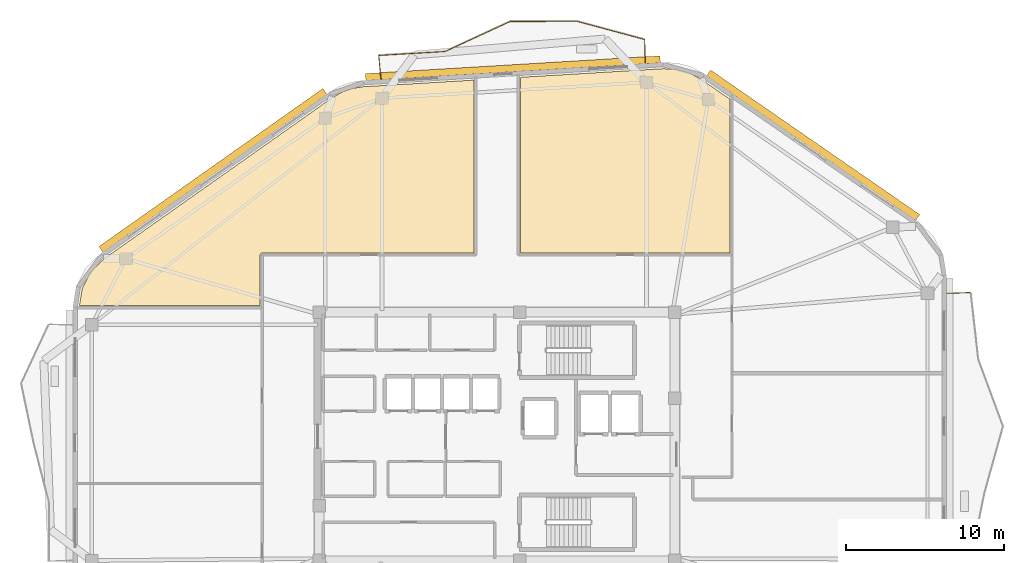
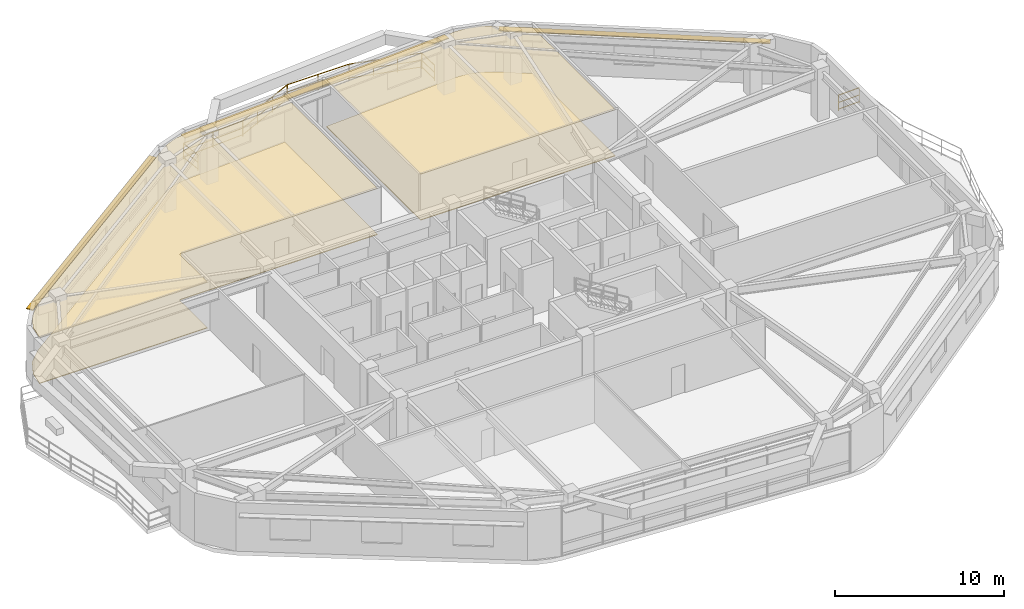
# One storey, part 12 of 12: 7 railings, 4 coverings, 3 shading devices.
"""IFC4 building model written with IfcOpenShell, lengths in metres."""

from ifc_helpers import new_model, si_unit, direction, frame, origin, origin_2d, place, context, subcontext, project, spatial, polyline, rectangle, outline, extrude, material, layer, layer_set, type_object, element, save


model = new_model("IFC4")

# Units and contexts
model_context = context("Model", 3, precision=1e-05, world=origin(), true_north=direction((0.0, 1.0)))
body_context = subcontext(model_context, "Body", "Model", "MODEL_VIEW")
ifc_project = project(units=[si_unit("LENGTHUNIT", "METRE"), si_unit("AREAUNIT", "SQUARE_METRE"), si_unit("VOLUMEUNIT", "CUBIC_METRE"), si_unit("PLANEANGLEUNIT", "RADIAN"), si_unit("MASSUNIT", "GRAM", prefix="KILO")], contexts=[model_context])

# Site, building, storey
site_placement = place(None, origin())
site = spatial("IfcSite", under=ifc_project, at=site_placement, CompositionType="ELEMENT")
building_placement = place(site_placement, origin())
building = spatial("IfcBuilding", under=site, at=building_placement, Name="Zulverin Broadcast Headquarters", CompositionType="ELEMENT")
storey_placement = place(building_placement, frame((0.0, 0.0, 232.60009765625)))
storey = spatial("IfcBuildingStorey", under=building, at=storey_placement, Name="L59", CompositionType="ELEMENT", Elevation=232.60009765625)

# Coverings
ifc_material_1 = material(Name="Perforated pale-metal acoustic baffle ceiling", Category="aluminium")
ifc_layer_1 = layer(ifc_material_1, 0.0400390625, Name="Perforated pale-metal acoustic baffle ceiling", Category="aluminium")
ifc_layer_set_1 = layer_set([ifc_layer_1], Name="Perforated pale-metal acoustic baffle ceiling")
covering_type_1 = type_object("IfcCoveringType", Name="COV-CEIL-ACOU", PredefinedType="CEILING", material=ifc_layer_set_1)
covering_1_placement = place(storey_placement, frame((0.0, 0.0, 3.329833984375)))
element("IfcCovering", 1, at=covering_1_placement, inside=storey, type_object=covering_type_1, Name="L59 Acoustic Baffle Ceiling 01", PredefinedType="CEILING", context=body_context, shape_type="SweptSolid", body=[
    extrude(outline(polyline([(12.092041015625, 36.468017578125), (11.22802734375, 35.6240234375), (10.69189453125, 34.580078125), (10.51611328125, 33.5), (21.97998046875, 33.5), (21.97998046875, 36.699951171875), (21.97998046875, 36.7119140625), (21.98388671875, 36.72412109375), (21.98388671875, 36.736083984375), (21.988037109375, 36.743896484375), (21.99609375, 36.756103515625), (22.0, 36.76806640625), (22.008056640625, 36.77587890625), (22.01611328125, 36.783935546875), (22.02392578125, 36.7919921875), (22.031982421875, 36.800048828125), (22.0439453125, 36.803955078125), (22.055908203125, 36.81201171875), (22.06396484375, 36.81591796875), (22.075927734375, 36.81591796875), (22.087890625, 36.820068359375), (22.10009765625, 36.820068359375), (35.531982421875, 36.820068359375), (35.531982421875, 47.7919921875), (28.52392578125, 47.3720703125), (27.827880859375, 47.26806640625), (27.18798828125, 47.0400390625), (26.575927734375, 46.69189453125), (12.092041015625, 36.468017578125)])), origin(), (0.0, 0.0, 1.0), 0.0400390625),
])
covering_2_placement = place(storey_placement, frame((0.0, 0.0, 3.329833984375)))
element("IfcCovering", 2, at=covering_2_placement, inside=storey, type_object=covering_type_1, Name="L59 Acoustic Baffle Ceiling 02", PredefinedType="CEILING", context=body_context, shape_type="SweptSolid", body=[
    extrude(outline(polyline([(49.18798828125, 48.251953125), (48.39599609375, 48.471923828125), (47.56005859375, 48.51611328125), (38.471923828125, 47.968017578125), (38.471923828125, 36.820068359375), (51.780029296875, 36.820068359375), (51.780029296875, 46.572021484375), (49.924072265625, 47.85205078125), (49.18798828125, 48.251953125)])), origin(), (0.0, 0.0, 1.0), 0.0400390625),
])
ifc_material_2 = material(Name="Anti-static broadcast raised access flooring", Category="stone")
ifc_layer_2 = layer(ifc_material_2, 0.050048828125, Name="Anti-static broadcast raised access flooring", Category="stone")
ifc_layer_set_2 = layer_set([ifc_layer_2], Name="Anti-static broadcast raised access flooring")
covering_type_2 = type_object("IfcCoveringType", Name="COV-FLR-RAISED", PredefinedType="FLOORING", material=ifc_layer_set_2)
covering_3_placement = place(storey_placement, origin())
element("IfcCovering", 3, at=covering_3_placement, inside=storey, type_object=covering_type_2, Name="L59 Broadcast Raised Access Flooring 01", PredefinedType="FLOORING", context=body_context, shape_type="SweptSolid", body=[
    extrude(outline(polyline([(12.092041015625, 36.468017578125), (11.22802734375, 35.6240234375), (10.69189453125, 34.580078125), (10.51611328125, 33.5), (21.97998046875, 33.5), (21.97998046875, 36.699951171875), (21.97998046875, 36.7119140625), (21.98388671875, 36.72412109375), (21.98388671875, 36.736083984375), (21.988037109375, 36.743896484375), (21.99609375, 36.756103515625), (22.0, 36.76806640625), (22.008056640625, 36.77587890625), (22.01611328125, 36.783935546875), (22.02392578125, 36.7919921875), (22.031982421875, 36.800048828125), (22.0439453125, 36.803955078125), (22.055908203125, 36.81201171875), (22.06396484375, 36.81591796875), (22.075927734375, 36.81591796875), (22.087890625, 36.820068359375), (22.10009765625, 36.820068359375), (35.531982421875, 36.820068359375), (35.531982421875, 47.7919921875), (28.52392578125, 47.3720703125), (27.827880859375, 47.26806640625), (27.18798828125, 47.0400390625), (26.575927734375, 46.69189453125), (12.092041015625, 36.468017578125)])), origin(), (0.0, 0.0, 1.0), 0.0498046875),
])
covering_4_placement = place(storey_placement, origin())
element("IfcCovering", 4, at=covering_4_placement, inside=storey, type_object=covering_type_2, Name="L59 Broadcast Raised Access Flooring 02", PredefinedType="FLOORING", context=body_context, shape_type="SweptSolid", body=[
    extrude(outline(polyline([(49.18798828125, 48.251953125), (48.39599609375, 48.471923828125), (47.56005859375, 48.51611328125), (38.471923828125, 47.968017578125), (38.471923828125, 36.820068359375), (51.780029296875, 36.820068359375), (51.780029296875, 46.572021484375), (49.924072265625, 47.85205078125), (49.18798828125, 48.251953125)])), origin(), (0.0, 0.0, 1.0), 0.0498046875),
])

# Railings
ifc_material_3 = material(Name="Brushed stainless steel & laminated glass balustrade", Category="steel")
railing_type = type_object("IfcRailingType", Name="RL-GUARD-1150", PredefinedType="GUARDRAIL", material=ifc_material_3)
railing_1_placement = place(storey_placement, frame((67.0048828125, 34.3251953125, 0.0)))
element("IfcRailing", 5, at=railing_1_placement, inside=storey, type_object=railing_type, Name="L59 Vertical-Forest Balcony Guardrail BAL_E Segment 06", PredefinedType="GUARDRAIL", context=body_context, shape_type="SweptSolid", body=[
    extrude(rectangle(XDim=0.048095703125, YDim=0.048095703125, at=origin_2d()), frame((0.0, 0.0, 1.1259765625), z_axis=(-0.999174135318, -0.040633081503, 0.0), x_axis=(0.040633081503, -0.999174135318, 0.0)), (0.0, 0.0, 1.0), 1.466064453125),
    extrude(rectangle(XDim=0.0419921875, YDim=0.0419921875, at=origin_2d()), frame((0.0, 0.0, 0.597900390625), z_axis=(-0.999174135318, -0.040633081503, 0.0), x_axis=(0.040633081503, -0.999174135318, 0.0)), (0.0, 0.0, 1.0), 1.466064453125),
    extrude(rectangle(XDim=0.0419921875, YDim=0.0419921875, at=origin_2d()), frame((0.0, 0.0, 0.1201171875), z_axis=(-0.999174135318, -0.040633081503, 0.0), x_axis=(0.040633081503, -0.999174135318, 0.0)), (0.0, 0.0, 1.0), 1.466064453125),
    extrude(rectangle(XDim=0.0419921875, YDim=0.0419921875, at=origin_2d()), origin(), (0.0, 0.0, 1.0), 1.101806640625),
    extrude(rectangle(XDim=0.0419921875, YDim=0.0419921875, at=origin_2d()), frame((-1.46484375, -0.0595703125, 0.0)), (0.0, 0.0, 1.0), 1.101806640625),
])
railing_2_placement = place(storey_placement, frame((46.397216796875, 48.885498046875, 0.0)))
element("IfcRailing", 6, at=railing_2_placement, inside=storey, type_object=railing_type, Name="L59 Vertical-Forest Balcony Guardrail BAL_N Segment 01", PredefinedType="GUARDRAIL", context=body_context, shape_type="SweptSolid", body=[
    extrude(rectangle(XDim=0.048095703125, YDim=0.048095703125, at=origin_2d()), frame((0.0, 0.0, 1.1259765625), z_axis=(-0.019480066399, 0.999810245503, 0.0), x_axis=(-0.999810245503, -0.019480066399, 0.0)), (0.0, 0.0, 1.0), 1.46630859375),
    extrude(rectangle(XDim=0.0419921875, YDim=0.0419921875, at=origin_2d()), frame((0.0, 0.0, 0.597900390625), z_axis=(-0.019480066399, 0.999810245503, 0.0), x_axis=(-0.999810245503, -0.019480066399, 0.0)), (0.0, 0.0, 1.0), 1.46630859375),
    extrude(rectangle(XDim=0.0419921875, YDim=0.0419921875, at=origin_2d()), frame((0.0, 0.0, 0.1201171875), z_axis=(-0.019480066399, 0.999810245503, 0.0), x_axis=(-0.999810245503, -0.019480066399, 0.0)), (0.0, 0.0, 1.0), 1.46630859375),
    extrude(rectangle(XDim=0.0419921875, YDim=0.0419921875, at=origin_2d()), origin(), (0.0, 0.0, 1.0), 1.101806640625),
    extrude(rectangle(XDim=0.0419921875, YDim=0.0419921875, at=origin_2d()), frame((-0.028564453125, 1.466064453125, 0.0)), (0.0, 0.0, 1.0), 1.101806640625),
])
railing_3_placement = place(storey_placement, frame((46.353759765625, 50.370361328125, 0.0)))
element("IfcRailing", 7, at=railing_3_placement, inside=storey, type_object=railing_type, Name="L59 Vertical-Forest Balcony Guardrail BAL_N Segment 02", PredefinedType="GUARDRAIL", context=body_context, shape_type="SweptSolid", body=[
    extrude(rectangle(XDim=0.048095703125, YDim=0.048095703125, at=origin_2d()), frame((0.0, 0.0, 1.1259765625), z_axis=(-0.965758297957, 0.25944346191, 0.0), x_axis=(-0.25944346191, -0.965758297957, 0.0)), (0.0, 0.0, 1.0), 4.427490234375),
    extrude(rectangle(XDim=0.0419921875, YDim=0.0419921875, at=origin_2d()), frame((0.0, 0.0, 0.597900390625), z_axis=(-0.965758297957, 0.25944346191, 0.0), x_axis=(-0.25944346191, -0.965758297957, 0.0)), (0.0, 0.0, 1.0), 4.427490234375),
    extrude(rectangle(XDim=0.0419921875, YDim=0.0419921875, at=origin_2d()), frame((0.0, 0.0, 0.1201171875), z_axis=(-0.965758297957, 0.25944346191, 0.0), x_axis=(-0.25944346191, -0.965758297957, 0.0)), (0.0, 0.0, 1.0), 4.427490234375),
    extrude(rectangle(XDim=0.0419921875, YDim=0.0419921875, at=origin_2d()), origin(), (0.0, 0.0, 1.0), 1.101806640625),
    extrude(rectangle(XDim=0.0419921875, YDim=0.0419921875, at=origin_2d()), frame((-1.42529296875, 0.3828125, 0.0)), (0.0, 0.0, 1.0), 1.101806640625),
    extrude(rectangle(XDim=0.0419921875, YDim=0.0419921875, at=origin_2d()), frame((-2.8505859375, 0.765869140625, 0.0)), (0.0, 0.0, 1.0), 1.101806640625),
    extrude(rectangle(XDim=0.0419921875, YDim=0.0419921875, at=origin_2d()), frame((-4.27587890625, 1.148681640625, 0.0)), (0.0, 0.0, 1.0), 1.101806640625),
])
railing_4_placement = place(storey_placement, frame((42.048583984375, 51.52294921875, 0.0)))
element("IfcRailing", 8, at=railing_4_placement, inside=storey, type_object=railing_type, Name="L59 Vertical-Forest Balcony Guardrail BAL_N Segment 03", PredefinedType="GUARDRAIL", context=body_context, shape_type="SweptSolid", body=[
    extrude(rectangle(XDim=0.048095703125, YDim=0.048095703125, at=origin_2d()), frame((0.0, 0.0, 1.1259765625), z_axis=(-0.999993308399, -0.003658299659, 0.0), x_axis=(0.003658299659, -0.999993308399, 0.0)), (0.0, 0.0, 1.0), 4.204345703125),
    extrude(rectangle(XDim=0.0419921875, YDim=0.0419921875, at=origin_2d()), frame((0.0, 0.0, 0.597900390625), z_axis=(-0.999993308399, -0.003658299659, 0.0), x_axis=(0.003658299659, -0.999993308399, 0.0)), (0.0, 0.0, 1.0), 4.204345703125),
    extrude(rectangle(XDim=0.0419921875, YDim=0.0419921875, at=origin_2d()), frame((0.0, 0.0, 0.1201171875), z_axis=(-0.999993308399, -0.003658299659, 0.0), x_axis=(0.003658299659, -0.999993308399, 0.0)), (0.0, 0.0, 1.0), 4.204345703125),
    extrude(rectangle(XDim=0.0419921875, YDim=0.0419921875, at=origin_2d()), origin(), (0.0, 0.0, 1.0), 1.101806640625),
    extrude(rectangle(XDim=0.0419921875, YDim=0.0419921875, at=origin_2d()), frame((-2.10205078125, -0.0078125, 0.0)), (0.0, 0.0, 1.0), 1.101806640625),
    extrude(rectangle(XDim=0.0419921875, YDim=0.0419921875, at=origin_2d()), frame((-4.204345703125, -0.015380859375, 0.0)), (0.0, 0.0, 1.0), 1.101806640625),
])
railing_5_placement = place(storey_placement, frame((37.815673828125, 51.501220703125, 0.0)))
element("IfcRailing", 9, at=railing_5_placement, inside=storey, type_object=railing_type, Name="L59 Vertical-Forest Balcony Guardrail BAL_N Segment 04", PredefinedType="GUARDRAIL", context=body_context, shape_type="SweptSolid", body=[
    extrude(rectangle(XDim=0.048095703125, YDim=0.048095703125, at=origin_2d()), frame((0.0, 0.0, 1.1259765625), z_axis=(-0.908052870887, -0.418855564214, 0.0), x_axis=(0.418855564214, -0.908052870887, 0.0)), (0.0, 0.0, 1.0), 4.508544921875),
    extrude(rectangle(XDim=0.0419921875, YDim=0.0419921875, at=origin_2d()), frame((0.0, 0.0, 0.597900390625), z_axis=(-0.908052870887, -0.418855564214, 0.0), x_axis=(0.418855564214, -0.908052870887, 0.0)), (0.0, 0.0, 1.0), 4.508544921875),
    extrude(rectangle(XDim=0.0419921875, YDim=0.0419921875, at=origin_2d()), frame((0.0, 0.0, 0.1201171875), z_axis=(-0.908052870887, -0.418855564214, 0.0), x_axis=(0.418855564214, -0.908052870887, 0.0)), (0.0, 0.0, 1.0), 4.508544921875),
    extrude(rectangle(XDim=0.0419921875, YDim=0.0419921875, at=origin_2d()), origin(), (0.0, 0.0, 1.0), 1.101806640625),
    extrude(rectangle(XDim=0.0419921875, YDim=0.0419921875, at=origin_2d()), frame((-1.36474609375, -0.62939453125, 0.0)), (0.0, 0.0, 1.0), 1.101806640625),
    extrude(rectangle(XDim=0.0419921875, YDim=0.0419921875, at=origin_2d()), frame((-2.729248046875, -1.259033203125, 0.0)), (0.0, 0.0, 1.0), 1.101806640625),
    extrude(rectangle(XDim=0.0419921875, YDim=0.0419921875, at=origin_2d()), frame((-4.093994140625, -1.888427734375, 0.0)), (0.0, 0.0, 1.0), 1.101806640625),
])
railing_6_placement = place(storey_placement, frame((33.693115234375, 49.60546875, 0.0)))
element("IfcRailing", 10, at=railing_6_placement, inside=storey, type_object=railing_type, Name="L59 Vertical-Forest Balcony Guardrail BAL_N Segment 05", PredefinedType="GUARDRAIL", context=body_context, shape_type="SweptSolid", body=[
    extrude(rectangle(XDim=0.048095703125, YDim=0.048095703125, at=origin_2d()), frame((0.0, 0.0, 1.1259765625), z_axis=(-0.998204080423, -0.059905040077, 0.0), x_axis=(0.059905040077, -0.998204080423, 0.0)), (0.0, 0.0, 1.0), 4.19775390625),
    extrude(rectangle(XDim=0.0419921875, YDim=0.0419921875, at=origin_2d()), frame((0.0, 0.0, 0.597900390625), z_axis=(-0.998204080423, -0.059905040077, 0.0), x_axis=(0.059905040077, -0.998204080423, 0.0)), (0.0, 0.0, 1.0), 4.19775390625),
    extrude(rectangle(XDim=0.0419921875, YDim=0.0419921875, at=origin_2d()), frame((0.0, 0.0, 0.1201171875), z_axis=(-0.998204080423, -0.059905040077, 0.0), x_axis=(0.059905040077, -0.998204080423, 0.0)), (0.0, 0.0, 1.0), 4.19775390625),
    extrude(rectangle(XDim=0.0419921875, YDim=0.0419921875, at=origin_2d()), origin(), (0.0, 0.0, 1.0), 1.101806640625),
    extrude(rectangle(XDim=0.0419921875, YDim=0.0419921875, at=origin_2d()), frame((-2.09521484375, -0.125732421875, 0.0)), (0.0, 0.0, 1.0), 1.101806640625),
    extrude(rectangle(XDim=0.0419921875, YDim=0.0419921875, at=origin_2d()), frame((-4.190185546875, -0.25146484375, 0.0)), (0.0, 0.0, 1.0), 1.101806640625),
])
railing_7_placement = place(storey_placement, frame((29.489501953125, 49.338134765625, 0.0)))
element("IfcRailing", 11, at=railing_7_placement, inside=storey, type_object=railing_type, Name="L59 Vertical-Forest Balcony Guardrail BAL_N Segment 06", PredefinedType="GUARDRAIL", context=body_context, shape_type="SweptSolid", body=[
    extrude(rectangle(XDim=0.048095703125, YDim=0.048095703125, at=origin_2d()), frame((0.0, 0.0, 1.1259765625), z_axis=(0.100245616419, -0.994962721105, 0.0), x_axis=(0.994962721105, 0.100245616419, 0.0)), (0.0, 0.0, 1.0), 1.466064453125),
    extrude(rectangle(XDim=0.0419921875, YDim=0.0419921875, at=origin_2d()), frame((0.0, 0.0, 0.597900390625), z_axis=(0.100245616419, -0.994962721105, 0.0), x_axis=(0.994962721105, 0.100245616419, 0.0)), (0.0, 0.0, 1.0), 1.466064453125),
    extrude(rectangle(XDim=0.0419921875, YDim=0.0419921875, at=origin_2d()), frame((0.0, 0.0, 0.1201171875), z_axis=(0.100245616419, -0.994962721105, 0.0), x_axis=(0.994962721105, 0.100245616419, 0.0)), (0.0, 0.0, 1.0), 1.466064453125),
    extrude(rectangle(XDim=0.0419921875, YDim=0.0419921875, at=origin_2d()), origin(), (0.0, 0.0, 1.0), 1.101806640625),
    extrude(rectangle(XDim=0.0419921875, YDim=0.0419921875, at=origin_2d()), frame((0.14697265625, -1.458740234375, 0.0)), (0.0, 0.0, 1.0), 1.101806640625),
])

# Shading devices
ifc_material_4 = material(Name="Anodized pale-metal aluminium sunshade", Category="aluminium")
ifc_layer_3 = layer(ifc_material_4, 0.06005859375, Name="Anodized pale-metal aluminium sunshade", Category="aluminium")
ifc_layer_set_3 = layer_set([ifc_layer_3], Name="Anodized pale-metal aluminium sunshade")
shading_device_type = type_object("IfcShadingDeviceType", Name="SS-01_PALE_METAL_ALUMINIUM_SUNSHADE", PredefinedType="USERDEFINED", material=ifc_layer_set_3)
shading_device_1_placement = place(storey_placement, frame((57.04638671875, 43.66162109375, 2.7099609375), z_axis=(0.0, 0.0, 1.0), x_axis=(-0.822655402653, 0.568540313861, 0.0)))
element("IfcShadingDevice", 12, at=shading_device_1_placement, inside=storey, type_object=shading_device_type, Name="L59 Horizontal Pale-Metal Sunshade Band 4", ObjectType="SUNSHADE", PredefinedType="USERDEFINED", context=body_context, shape_type="SweptSolid", body=[
    extrude(rectangle(XDim=16.1279296875, YDim=0.449951171875, at=origin_2d()), origin(), (0.0, 0.0, 1.0), 0.06005859375),
])
shading_device_2_placement = place(storey_placement, frame((38.007080078125, 48.542236328125, 2.7099609375), z_axis=(0.0, 0.0, 1.0), x_axis=(-0.99820257679, -0.059930090026, 0.0)))
element("IfcShadingDevice", 13, at=shading_device_2_placement, inside=storey, type_object=shading_device_type, Name="L59 Horizontal Pale-Metal Sunshade Band 5", ObjectType="SUNSHADE", PredefinedType="USERDEFINED", context=body_context, shape_type="SweptSolid", body=[
    extrude(rectangle(XDim=18.710693359375, YDim=0.449951171875, at=origin_2d()), origin(), (0.0, 0.0, 1.0), 0.06005859375),
])
shading_device_3_placement = place(storey_placement, frame((18.98388671875, 42.064453125, 2.7099609375), z_axis=(0.0, 0.0, 1.0), x_axis=(-0.817023146348, -0.576604871929, 0.0)))
element("IfcShadingDevice", 14, at=shading_device_3_placement, inside=storey, type_object=shading_device_type, Name="L59 Horizontal Pale-Metal Sunshade Band 6", ObjectType="SUNSHADE", PredefinedType="USERDEFINED", context=body_context, shape_type="SweptSolid", body=[
    extrude(rectangle(XDim=17.3798828125, YDim=0.449951171875, at=origin_2d()), origin(), (0.0, 0.0, 1.0), 0.06005859375),
])

save(model, "model.ifc")
